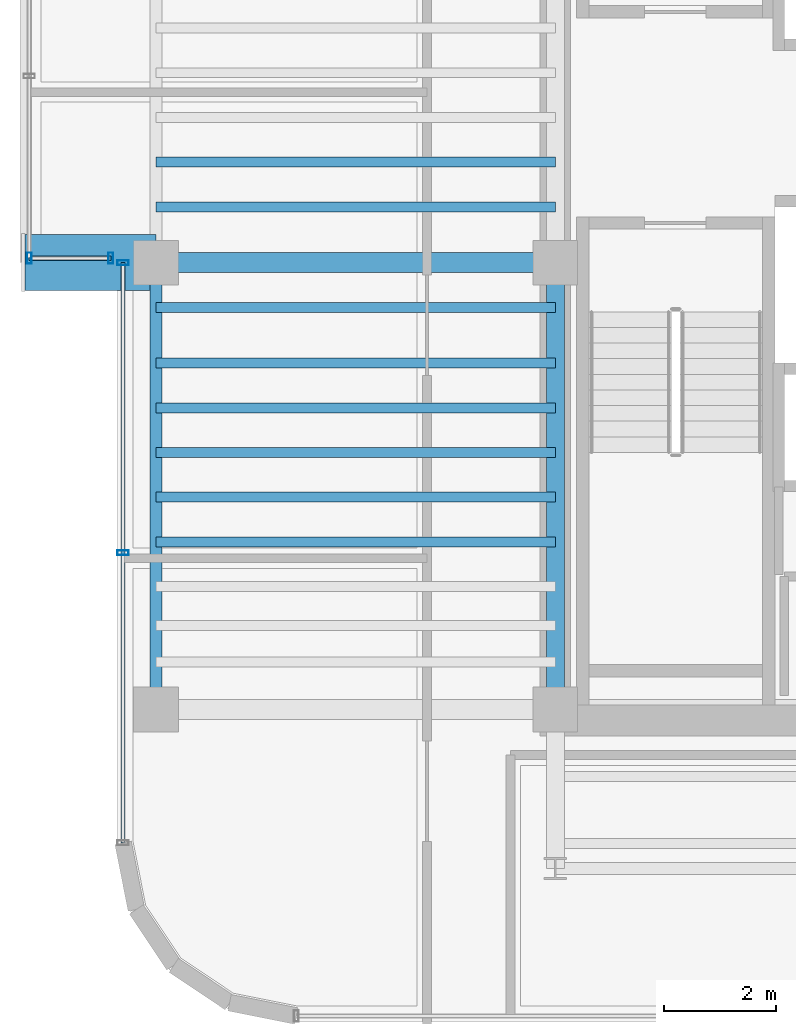
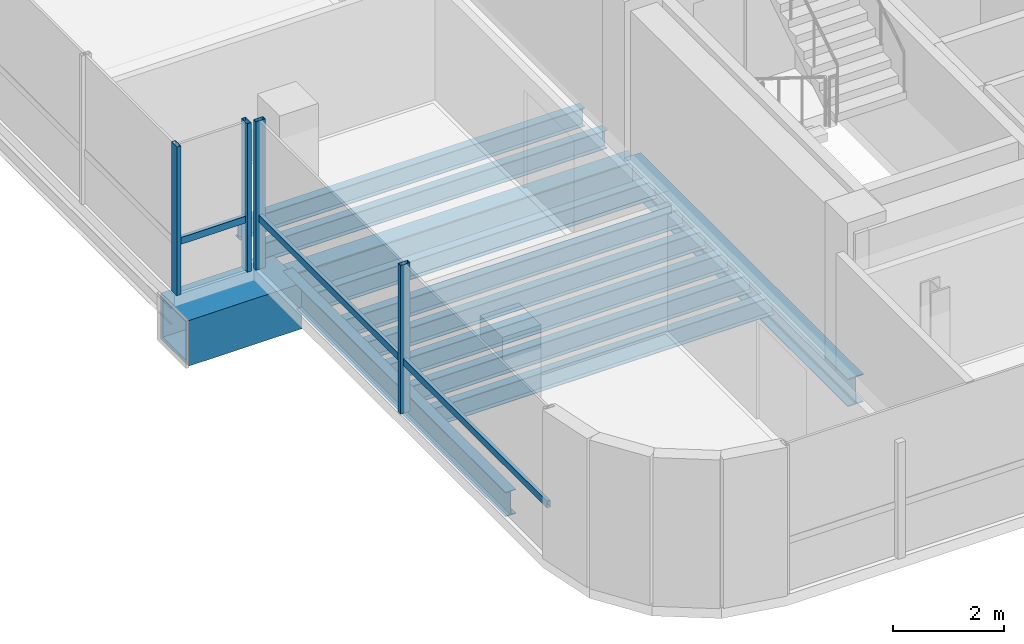
# One storey, part 4 of 18: 12 beams, 6 members, 2 elements without a shape of their own.
"""IFC4 building model written with IfcOpenShell, lengths in metres."""

from ifc_helpers import new_model, si_unit, direction, frame, origin, origin_2d, place, context, subcontext, project, spatial, hollow_rectangle, i_section, extrude, source, transform, mapped, material, material_profile, profile_set, type_object, element, aggregate, save


model = new_model("IFC4")

# Units and contexts
model_context = context("Model", 3, precision=1e-05, world=origin(), true_north=direction((0.0, 1.0)))
body_context = subcontext(model_context, "Body", "Model", "MODEL_VIEW")
ifc_project = project(units=[si_unit("LENGTHUNIT", "METRE"), si_unit("AREAUNIT", "SQUARE_METRE"), si_unit("VOLUMEUNIT", "CUBIC_METRE"), si_unit("PLANEANGLEUNIT", "RADIAN"), si_unit("MASSUNIT", "GRAM", prefix="KILO")], contexts=[model_context])

# Site, building, storey
site_placement = place(None, origin())
site = spatial("IfcSite", under=ifc_project, at=site_placement, CompositionType="ELEMENT")
building_placement = place(site_placement, origin())
building = spatial("IfcBuilding", under=site, at=building_placement, Name="Valdorenza Pilgrim Sanctuary Tower", CompositionType="ELEMENT")
storey_placement = place(building_placement, frame((0.0, 0.0, 247.5)))
storey = spatial("IfcBuildingStorey", under=building, at=storey_placement, Name="L64", CompositionType="ELEMENT", Elevation=247.5)

# Beams
ifc_material_1 = material(Name="Steel ASTM A992 Grade 50", Category="steel")
ifc_material_profile_1 = material_profile(ifc_material_1, i_section(OverallWidth=0.323974609375, OverallDepth=0.611083984375, WebThickness=0.0126953125, FlangeThickness=0.01904296875, at=origin_2d()), Name="W24X104")
ifc_profile_set_1 = profile_set([ifc_material_profile_1], Name="Steel ASTM A992 Grade 50")
beam_type_1 = type_object("IfcBeamType", Name="STR-BM-GRD-W24B", PredefinedType="BEAM", material=ifc_profile_set_1)
shared_shape_1 = source(origin(), body_context, "Body", "SweptSolid", [
    extrude(i_section(OverallWidth=0.323974609375, OverallDepth=0.611083984375, WebThickness=0.0126953125, FlangeThickness=0.01904296875, at=origin_2d()), origin(), (0.0, 0.0, 1.0), 8.0),
])
beam_1_placement = place(storey_placement, frame((-22.64990234375, -10.60009765625, -0.54541015625), z_axis=(0.0, 1.0, 0.0), x_axis=(-1.0, 0.0, 0.0)))
element("IfcBeam", 1, at=beam_1_placement, inside=storey, type_object=beam_type_1, Name="L64 Core Tie Girder CA-W-S1M0", PredefinedType="BEAM", context=body_context, shape_type="MappedRepresentation", body=[
    mapped(shared_shape_1, transform((0.0, 0.0, 0.0), x_axis=(1.0, 0.0, 0.0), y_axis=(0.0, 1.0, 0.0), z_axis=(0.0, 0.0, 1.0), scale=1.0)),
])
ifc_material_profile_2 = material_profile(ifc_material_1, i_section(OverallWidth=0.2109375, OverallDepth=0.5390625, WebThickness=0.01171875, FlangeThickness=0.018798828125, at=origin_2d()), Name="W21X73")
ifc_profile_set_2 = profile_set([ifc_material_profile_2], Name="Steel ASTM A992 Grade 50")
beam_type_2 = type_object("IfcBeamType", Name="STR-BM-SPN-W21B", PredefinedType="SPANDREL", material=ifc_profile_set_2)
shared_shape_2 = source(origin(), body_context, "Body", "SweptSolid", [
    extrude(i_section(OverallWidth=0.2109375, OverallDepth=0.5390625, WebThickness=0.01171875, FlangeThickness=0.018798828125, at=origin_2d()), origin(), (0.0, 0.0, 1.0), 8.0),
])
beam_2_placement = place(storey_placement, frame((-29.800048828125, -10.60009765625, -0.509521484375), z_axis=(0.0, 1.0, 0.0), x_axis=(-1.0, 0.0, 0.0)))
element("IfcBeam", 2, at=beam_2_placement, inside=storey, type_object=beam_type_2, Name="L64 Spandrel Beam WA-W-S1M0", PredefinedType="SPANDREL", context=body_context, shape_type="MappedRepresentation", body=[
    mapped(shared_shape_2, transform((0.0, 0.0, 0.0), x_axis=(1.0, 0.0, 0.0), y_axis=(0.0, 1.0, 0.0), z_axis=(0.0, 0.0, 1.0), scale=1.0)),
])
ifc_material_profile_3 = material_profile(ifc_material_1, i_section(OverallWidth=0.35595703125, OverallDepth=0.700927734375, WebThickness=0.016845703125, FlangeThickness=0.02734375, at=origin_2d()), Name="W27X161")
ifc_profile_set_3 = profile_set([ifc_material_profile_3], Name="Steel ASTM A992 Grade 50")
beam_type_3 = type_object("IfcBeamType", Name="STR-BM-GRD-W27", PredefinedType="BEAM", material=ifc_profile_set_3)
shared_shape_3 = source(origin(), body_context, "Body", "SweptSolid", [
    extrude(i_section(OverallWidth=0.35595703125, OverallDepth=0.700927734375, WebThickness=0.016845703125, FlangeThickness=0.02734375, at=origin_2d()), origin(), (0.0, 0.0, 1.0), 7.150146484375),
])
beam_3_placement = place(storey_placement, frame((-29.800048828125, -2.60009765625, -0.590576171875), z_axis=(1.0, 0.0, 0.0), x_axis=(0.0, 1.0, 0.0)))
element("IfcBeam", 3, at=beam_3_placement, inside=storey, type_object=beam_type_3, Name="L64 Floor Girder WA-XW-M0", PredefinedType="BEAM", context=body_context, shape_type="MappedRepresentation", body=[
    mapped(shared_shape_3, transform((0.0, 0.0, 0.0), x_axis=(1.0, 0.0, 0.0), y_axis=(0.0, 1.0, 0.0), z_axis=(0.0, 0.0, 1.0), scale=1.0)),
])
ifc_material_profile_4 = material_profile(ifc_material_1, i_section(OverallWidth=0.177978515625, OverallDepth=0.406005859375, WebThickness=0.0078125, FlangeThickness=0.0126953125, at=origin_2d()), Name="W16X40")
ifc_profile_set_4 = profile_set([ifc_material_profile_4], Name="Steel ASTM A992 Grade 50")
beam_type_4 = type_object("IfcBeamType", Name="STR-BM-JST-W16", PredefinedType="JOIST", material=ifc_profile_set_4)
shared_shape_4 = source(origin(), body_context, "Body", "SweptSolid", [
    extrude(i_section(OverallWidth=0.177978515625, OverallDepth=0.406005859375, WebThickness=0.0078125, FlangeThickness=0.0126953125, at=origin_2d()), origin(), (0.0, 0.0, 1.0), 7.150146484375),
])
for number, where, z_axis, x_axis, name in (
    (4, (-29.800048828125, -7.60009765625, -0.443115234375), (1.0, 0.0, 0.0), (0.0, 1.0, 0.0), "L64 Composite Floor Joist JST-WA-4"),
    (5, (-29.800048828125, -6.800048828125, -0.443115234375), (1.0, 0.0, 0.0), (0.0, 1.0, 0.0), "L64 Composite Floor Joist JST-WA-5"),
    (6, (-29.800048828125, -6.0, -0.443115234375), (1.0, 0.0, 0.0), (0.0, 1.0, 0.0), "L64 Composite Floor Joist JST-WA-6"),
    (7, (-29.800048828125, -5.199951171875, -0.443115234375), (1.0, 0.0, 0.0), (0.0, 1.0, 0.0), "L64 Composite Floor Joist JST-WA-7"),
    (8, (-29.800048828125, -4.39990234375, -0.443115234375), (1.0, 0.0, 0.0), (0.0, 1.0, 0.0), "L64 Composite Floor Joist JST-WA-8"),
    (9, (-29.800048828125, -3.39990234375, -0.443115234375), (1.0, 0.0, 0.0), (0.0, 1.0, 0.0), "L64 Composite Floor Joist JST-WA-9"),
    (10, (-29.800048828125, -1.60009765625, -0.443115234375), (1.0, 0.0, 0.0), (0.0, 1.0, 0.0), "L64 Composite Floor Joist JST-WA-10"),
    (11, (-29.800048828125, -0.800048828125, -0.443115234375), (1.0, 0.0, 0.0), (0.0, 1.0, 0.0), "L64 Composite Floor Joist JST-WA-11"),
):
    element("IfcBeam", number, at=place(storey_placement, frame(where, z_axis=z_axis, x_axis=x_axis)), inside=storey, type_object=beam_type_4, Name=name, PredefinedType="JOIST", context=body_context, shape_type="MappedRepresentation", body=[
        mapped(shared_shape_4, transform((0.0, 0.0, 0.0), x_axis=(1.0, 0.0, 0.0), y_axis=(0.0, 1.0, 0.0), z_axis=(0.0, 0.0, 1.0), scale=1.0)),
    ])
ifc_material_2 = material(Name="Steel ASTM A572 Grade 42", Category="steel")
ifc_material_profile_5 = material_profile(ifc_material_2, hollow_rectangle(XDim=1.0, YDim=1.0, WallThickness=0.080078125, at=origin_2d()), Name="BOX 1000x1000x80")
ifc_profile_set_5 = profile_set([ifc_material_profile_5], Name="Steel ASTM A572 Grade 42")
beam_type_5 = type_object("IfcBeamType", Name="STR-BM-PROW-CANT", PredefinedType="BEAM", material=ifc_profile_set_5)
shared_shape_5 = source(origin(), body_context, "Body", "SweptSolid", [
    extrude(hollow_rectangle(XDim=1.0, YDim=1.0, WallThickness=0.080078125, at=origin_2d()), origin(), (0.0, 0.0, 1.0), 2.349853515625),
])
beam_4_placement = place(storey_placement, frame((-29.800048828125, -2.60009765625, -0.739990234375), z_axis=(-1.0, 0.0, 0.0), x_axis=(0.0, -1.0, 0.0)))
element("IfcBeam", 12, at=beam_4_placement, inside=storey, type_object=beam_type_5, Name="L64 Glass Box Cantilever Beam BOX-WA-L64-CT-S", PredefinedType="BEAM", context=body_context, shape_type="MappedRepresentation", body=[
    mapped(shared_shape_5, transform((0.0, 0.0, 0.0), x_axis=(1.0, 0.0, 0.0), y_axis=(0.0, 1.0, 0.0), z_axis=(0.0, 0.0, 1.0), scale=1.0)),
])

# Curtain wall, member
ifc_material_3 = material(Name="Curtain-wall IGU glazing", Category="glass")
curtain_wall_type = type_object("IfcCurtainWallType", Name="CW-SYS-02", PredefinedType="NOTDEFINED", material=ifc_material_3)
curtain_wall_1_placement = place(storey_placement, origin())
curtain_wall_1 = element("IfcCurtainWall", 13, at=curtain_wall_1_placement, inside=storey, type_object=curtain_wall_type, Name="L64 Curtain Wall CW-L64-BOX-WA-L64-S", PredefinedType="NOTDEFINED")
ifc_material_4 = material(Name="Anodised aluminium AW-6060", Category="aluminium")
ifc_material_profile_6 = material_profile(ifc_material_4, hollow_rectangle(XDim=0.074951171875, YDim=0.14990234375, WallThickness=0.00390625, at=origin_2d()), Name="ALU-T 150x75x4")
ifc_profile_set_6 = profile_set([ifc_material_profile_6], Name="Anodised aluminium AW-6060")
member_type_1 = type_object("IfcMemberType", Name="CW-TRN-02", PredefinedType="USERDEFINED", material=ifc_profile_set_6)
shared_shape_6 = source(origin(), body_context, "Body", "SweptSolid", [
    extrude(hollow_rectangle(XDim=0.074951171875, YDim=0.14990234375, WallThickness=0.00390625, at=origin_2d()), origin(), (0.0, 0.0, 1.0), 1.4599609375),
])
member_1_placement = place(storey_placement, frame((-30.610107421875, -2.52001953125, 1.1201171875), z_axis=(-1.0, 0.0, 0.0), x_axis=(0.0, -1.0, 0.0)))
member_1 = element("IfcMember", 14, at=member_1_placement, type_object=member_type_1, Name="CW-L64-BOX-WA-L64-S Transom 1", ObjectType="TRANSOM", PredefinedType="USERDEFINED", context=body_context, shape_type="MappedRepresentation", body=[
    mapped(shared_shape_6, transform((0.0, 0.0, 0.0), x_axis=(1.0, 0.0, 0.0), y_axis=(0.0, 1.0, 0.0), z_axis=(0.0, 0.0, 1.0), scale=1.0)),
])

# Curtain wall, members
curtain_wall_2_placement = place(storey_placement, origin())
curtain_wall_2 = element("IfcCurtainWall", 15, at=curtain_wall_2_placement, inside=storey, type_object=curtain_wall_type, Name="L64 Curtain Wall CW-L64-1-1S1", PredefinedType="NOTDEFINED")
ifc_material_profile_7 = material_profile(ifc_material_4, hollow_rectangle(XDim=0.0849609375, YDim=0.199951171875, WallThickness=0.0048828125, at=origin_2d()), Name="ALU-M 200x85x5")
ifc_profile_set_7 = profile_set([ifc_material_profile_7], Name="Anodised aluminium AW-6060")
member_type_2 = type_object("IfcMemberType", Name="CW-MUL-02", PredefinedType="MULLION", material=ifc_profile_set_7)
shared_shape_7 = source(origin(), body_context, "Body", "SweptSolid", [
    extrude(hollow_rectangle(XDim=0.0849609375, YDim=0.199951171875, WallThickness=0.0048828125, at=origin_2d()), origin(), (0.0, 0.0, 1.0), 3.260009765625),
])
member_2_placement = place(storey_placement, frame((-30.389892578125, -7.794677734375, 0.0), z_axis=(0.0, 0.0, 1.0), x_axis=(0.0, 1.0, 0.0)))
member_2 = element("IfcMember", 16, at=member_2_placement, type_object=member_type_2, Name="CW-L64-1-1S1 Mullion 2", PredefinedType="MULLION", context=body_context, shape_type="MappedRepresentation", body=[
    mapped(shared_shape_7, transform((0.0, 0.0, 0.0), x_axis=(1.0, 0.0, 0.0), y_axis=(0.0, 1.0, 0.0), z_axis=(0.0, 0.0, 1.0), scale=1.0)),
])
member_3_placement = place(storey_placement, frame((-30.389892578125, -2.60009765625, 0.0), z_axis=(0.0, 0.0, 1.0), x_axis=(0.0, 1.0, 0.0)))
member_3 = element("IfcMember", 17, at=member_3_placement, type_object=member_type_2, Name="CW-L64-1-1S1 Mullion 3", PredefinedType="MULLION", context=body_context, shape_type="MappedRepresentation", body=[
    mapped(shared_shape_7, transform((0.0, 0.0, 0.0), x_axis=(1.0, 0.0, 0.0), y_axis=(0.0, 1.0, 0.0), z_axis=(0.0, 0.0, 1.0), scale=1.0)),
])

# Member
member_4_placement = place(storey_placement, frame((-30.610107421875, -2.52001953125, 0.0), z_axis=(0.0, 0.0, 1.0), x_axis=(-1.0, 0.0, 0.0)))
member_4 = element("IfcMember", 18, at=member_4_placement, type_object=member_type_2, Name="CW-L64-BOX-WA-L64-S Mullion 1", PredefinedType="MULLION", context=body_context, shape_type="MappedRepresentation", body=[
    mapped(shared_shape_7, transform((0.0, 0.0, 0.0), x_axis=(1.0, 0.0, 0.0), y_axis=(0.0, 1.0, 0.0), z_axis=(0.0, 0.0, 1.0), scale=1.0)),
])

member_5_placement = place(storey_placement, frame((-32.070068359375, -2.52001953125, 0.0), z_axis=(0.0, 0.0, 1.0), x_axis=(-1.0, 0.0, 0.0)))
member_5 = element("IfcMember", 19, at=member_5_placement, type_object=member_type_2, Name="CW-L64-BOX-WA-L64-S Mullion 2", PredefinedType="MULLION", context=body_context, shape_type="MappedRepresentation", body=[
    mapped(shared_shape_7, transform((0.0, 0.0, 0.0), x_axis=(1.0, 0.0, 0.0), y_axis=(0.0, 1.0, 0.0), z_axis=(0.0, 0.0, 1.0), scale=1.0)),
])

aggregate(curtain_wall_1, [member_4, member_5, member_1])

shared_shape_8 = source(origin(), body_context, "Body", "SweptSolid", [
    extrude(hollow_rectangle(XDim=0.074951171875, YDim=0.14990234375, WallThickness=0.00390625, at=origin_2d()), origin(), (0.0, 0.0, 1.0), 10.38916015625),
])
member_6_placement = place(storey_placement, frame((-30.389892578125, -12.9892578125, 1.1201171875), z_axis=(0.0, 1.0, 0.0), x_axis=(-1.0, 0.0, 0.0)))
member_6 = element("IfcMember", 20, at=member_6_placement, type_object=member_type_1, Name="CW-L64-1-1S1 Transom 1", ObjectType="TRANSOM", PredefinedType="USERDEFINED", context=body_context, shape_type="MappedRepresentation", body=[
    mapped(shared_shape_8, transform((0.0, 0.0, 0.0), x_axis=(1.0, 0.0, 0.0), y_axis=(0.0, 1.0, 0.0), z_axis=(0.0, 0.0, 1.0), scale=1.0)),
])

aggregate(curtain_wall_2, [member_2, member_3, member_6])

save(model, "model.ifc")
